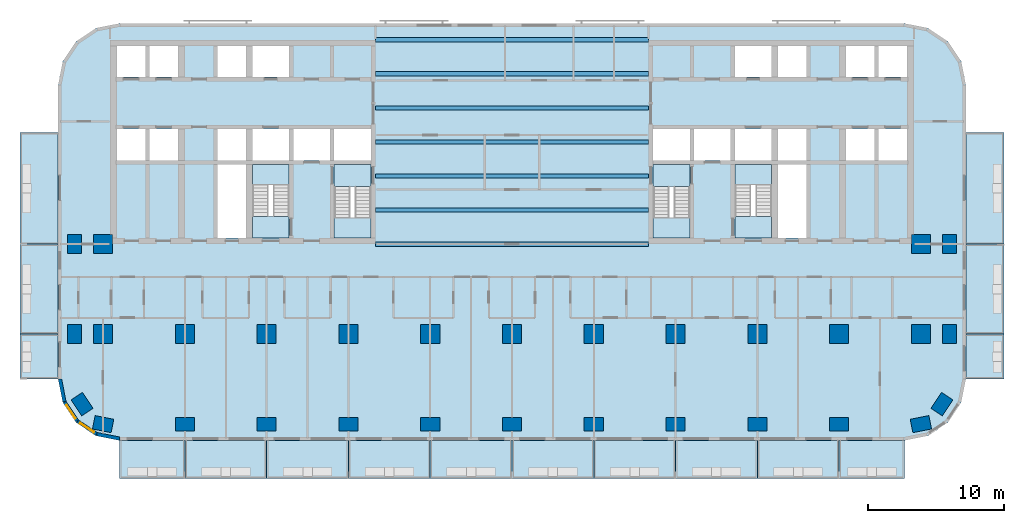
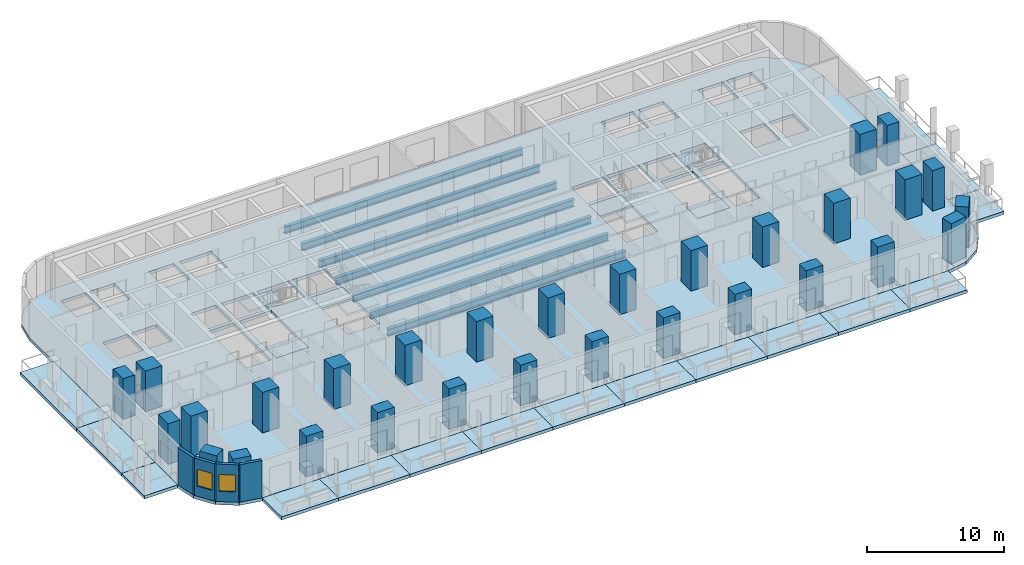
# One storey, part 1 of 15: 30 columns, 25 slabs, 7 beams, 4 walls, 2 windows, 2 openings, 4 elements without a shape of their own.
"""IFC4 building model written with IfcOpenShell, lengths in metres."""

from ifc_helpers import new_model, si_unit, direction, frame, frame_2d, origin, origin_2d, place, context, subcontext, project, spatial, polyline, rectangle, i_section, outline, extrude, material, layer, layer_set, material_profile, profile_set, type_object, element, fill, aggregate, save


model = new_model("IFC4")

# Units and contexts
model_context = context("Model", 3, precision=1e-05, world=origin(), true_north=direction((0.0, 1.0)))
body_context = subcontext(model_context, "Body", "Model", "MODEL_VIEW")
ifc_project = project(units=[si_unit("LENGTHUNIT", "METRE"), si_unit("AREAUNIT", "SQUARE_METRE"), si_unit("VOLUMEUNIT", "CUBIC_METRE"), si_unit("PLANEANGLEUNIT", "RADIAN"), si_unit("MASSUNIT", "GRAM", prefix="KILO")], contexts=[model_context])

# Site, building, storey
site_placement = place(None, origin())
site = spatial("IfcSite", under=ifc_project, at=site_placement, CompositionType="ELEMENT")
building_placement = place(site_placement, origin())
building = spatial("IfcBuilding", under=site, at=building_placement, Name="Torana Hotel and Residences", CompositionType="ELEMENT")
storey_placement = place(building_placement, frame((0.0, 0.0, 52.800048828125)))
storey = spatial("IfcBuildingStorey", under=building, at=storey_placement, Name="L12", CompositionType="ELEMENT", Elevation=52.800048828125)

# Columns
ifc_material_1 = material(Name="Concrete C70/85", Category="concrete")
ifc_material_profile_1 = material_profile(ifc_material_1, rectangle(XDim=1.39990234375, YDim=1.0, at=origin_2d()), Name="RC 1400x1000")
ifc_profile_set_1 = profile_set([ifc_material_profile_1], Name="Concrete C70/85")
column_type_1 = type_object("IfcColumnType", Name="COLUMN RC 1400x1000 C70/85", PredefinedType="COLUMN", material=ifc_profile_set_1)
for number, where, z_axis, x_axis, name in (
    (1, (-32.10009765625, -21.60009765625, 0.0), (0.0, 0.0, 1.0), (0.0, 1.0, 0.0), "Column L12"),
    (2, (-32.10009765625, -15.0, 0.0), (0.0, 0.0, 1.0), (0.0, 1.0, 0.0), "Column L12"),
    (3, (-31.5439453125, -26.73291015625, 0.0), (0.0, 0.0, 1.0), (-0.555584744817, 0.831459915646, 0.0), "Column L12"),
    (4, (-30.0, -28.199951171875, 0.0), (0.0, 0.0, 1.0), (-0.980792089743, 0.195056086032, 0.0), "Column L12"),
    (5, (-24.0, -28.199951171875, 0.0), (0.0, 0.0, 1.0), (1.0, 0.0, 0.0), "Column L12"),
    (6, (-18.0, -28.199951171875, 0.0), (0.0, 0.0, 1.0), (1.0, 0.0, 0.0), "Column L12"),
    (7, (-12.0, -28.199951171875, 0.0), (0.0, 0.0, 1.0), (1.0, 0.0, 0.0), "Column L12"),
    (8, (-6.0, -28.199951171875, 0.0), (0.0, 0.0, 1.0), (1.0, 0.0, 0.0), "Column L12"),
    (9, (0.0, -28.199951171875, 0.0), (0.0, 0.0, 1.0), (1.0, 0.0, 0.0), "Column L12"),
    (10, (6.0, -28.199951171875, 0.0), (0.0, 0.0, 1.0), (1.0, 0.0, 0.0), "Column L12"),
    (11, (12.0, -28.199951171875, 0.0), (0.0, 0.0, 1.0), (1.0, 0.0, 0.0), "Column L12"),
    (12, (18.0, -28.199951171875, 0.0), (0.0, 0.0, 1.0), (1.0, 0.0, 0.0), "Column L12"),
    (13, (24.0, -28.199951171875, 0.0), (0.0, 0.0, 1.0), (1.0, 0.0, 0.0), "Column L12"),
    (14, (30.0, -28.199951171875, 0.0), (0.0, 0.0, 1.0), (0.980792089743, 0.195056086032, 0.0), "Column L12"),
    (15, (31.5439453125, -26.73291015625, 0.0), (0.0, 0.0, 1.0), (0.555584744817, 0.831459915646, 0.0), "Column L12"),
    (16, (32.10009765625, -21.60009765625, 0.0), (0.0, 0.0, 1.0), (0.0, 1.0, 0.0), "Column L12"),
    (17, (32.10009765625, -15.0, 0.0), (0.0, 0.0, 1.0), (0.0, 1.0, 0.0), "Column L12"),
):
    element("IfcColumn", number, at=place(storey_placement, frame(where, z_axis=z_axis, x_axis=x_axis)), inside=storey, type_object=column_type_1, Name=name, PredefinedType="COLUMN", context=body_context, shape_type="SweptSolid", body=[
        extrude(rectangle(XDim=1.39990234375, YDim=1.0, at=origin_2d()), origin(), (0.0, 0.0, 1.0), 3.599853515625),
    ])
ifc_material_2 = material(Name="Concrete C70/85", Category="concrete")
ifc_material_profile_2 = material_profile(ifc_material_2, rectangle(XDim=1.39990234375, YDim=1.39990234375, at=origin_2d()), Name="RC 1400x1400")
ifc_profile_set_2 = profile_set([ifc_material_profile_2], Name="Concrete C70/85")
column_type_2 = type_object("IfcColumnType", Name="COLUMN RC 1400x1400 C70/85", PredefinedType="COLUMN", material=ifc_profile_set_2)
for number, where, z_axis, x_axis, name in (
    (18, (-30.0, -21.60009765625, 0.0), (0.0, 0.0, 1.0), (1.0, 0.0, 0.0), "Column L12"),
    (19, (-30.0, -15.0, 0.0), (0.0, 0.0, 1.0), (1.0, 0.0, 0.0), "Column L12"),
    (20, (-24.0, -21.60009765625, 0.0), (0.0, 0.0, 1.0), (1.0, 0.0, 0.0), "Column L12"),
    (21, (-18.0, -21.60009765625, 0.0), (0.0, 0.0, 1.0), (1.0, 0.0, 0.0), "Column L12"),
    (22, (-12.0, -21.60009765625, 0.0), (0.0, 0.0, 1.0), (1.0, 0.0, 0.0), "Column L12"),
    (23, (-6.0, -21.60009765625, 0.0), (0.0, 0.0, 1.0), (1.0, 0.0, 0.0), "Column L12"),
    (24, (0.0, -21.60009765625, 0.0), (0.0, 0.0, 1.0), (1.0, 0.0, 0.0), "Column L12"),
    (25, (6.0, -21.60009765625, 0.0), (0.0, 0.0, 1.0), (1.0, 0.0, 0.0), "Column L12"),
    (26, (12.0, -21.60009765625, 0.0), (0.0, 0.0, 1.0), (1.0, 0.0, 0.0), "Column L12"),
    (27, (18.0, -21.60009765625, 0.0), (0.0, 0.0, 1.0), (1.0, 0.0, 0.0), "Column L12"),
    (28, (24.0, -21.60009765625, 0.0), (0.0, 0.0, 1.0), (1.0, 0.0, 0.0), "Column L12"),
    (29, (30.0, -21.60009765625, 0.0), (0.0, 0.0, 1.0), (1.0, 0.0, 0.0), "Column L12"),
    (30, (30.0, -15.0, 0.0), (0.0, 0.0, 1.0), (1.0, 0.0, 0.0), "Column L12"),
):
    element("IfcColumn", number, at=place(storey_placement, frame(where, z_axis=z_axis, x_axis=x_axis)), inside=storey, type_object=column_type_2, Name=name, PredefinedType="COLUMN", context=body_context, shape_type="SweptSolid", body=[
        extrude(rectangle(XDim=1.39990234375, YDim=1.39990234375, at=origin_2d()), origin(), (0.0, 0.0, 1.0), 3.599853515625),
    ])

# Beams
ifc_material_3 = material(Name="Steel S355", Category="steel")
ifc_material_profile_3 = material_profile(ifc_material_3, i_section(OverallWidth=0.311279296875, OverallDepth=0.6357421875, WebThickness=0.018310546875, FlangeThickness=0.031494140625, FilletRadius=0.0166015625, at=origin_2d()), Name="610x305x238 UB")
ifc_profile_set_3 = profile_set([ifc_material_profile_3], Name="Steel S355")
beam_type = type_object("IfcBeamType", Name="STEEL GIRDER 610x305x238 UB", PredefinedType="BEAM", material=ifc_profile_set_3)
for number, where, z_axis, x_axis, name in (
    (31, (-10.0, -15.0, -0.597900390625), (1.0, 0.0, 0.0), (0.0, 1.0, 0.0), "Floor girder"),
    (32, (-10.0, -12.5, -0.597900390625), (1.0, 0.0, 0.0), (0.0, 1.0, 0.0), "Floor girder"),
    (33, (-10.0, -10.0, -0.597900390625), (1.0, 0.0, 0.0), (0.0, 1.0, 0.0), "Floor girder"),
    (34, (-10.0, -7.5, -0.597900390625), (1.0, 0.0, 0.0), (0.0, 1.0, 0.0), "Floor girder"),
    (35, (-10.0, -5.0, -0.597900390625), (1.0, 0.0, 0.0), (0.0, 1.0, 0.0), "Floor girder"),
    (36, (-10.0, -2.5, -0.597900390625), (1.0, 0.0, 0.0), (0.0, 1.0, 0.0), "Floor girder"),
    (37, (-10.0, 0.0, -0.597900390625), (1.0, 0.0, 0.0), (0.0, 1.0, 0.0), "Floor girder"),
):
    element("IfcBeam", number, at=place(storey_placement, frame(where, z_axis=z_axis, x_axis=x_axis)), inside=storey, type_object=beam_type, Name=name, PredefinedType="BEAM", context=body_context, shape_type="SweptSolid", body=[
        extrude(i_section(OverallWidth=0.311279296875, OverallDepth=0.6357421875, WebThickness=0.018310546875, FlangeThickness=0.031494140625, FilletRadius=0.0166015625, at=origin_2d()), origin(), (0.0, 0.0, 1.0), 20.0),
    ])

# Slabs
ifc_material_4 = material(Name="Concrete C40/50", Category="concrete")
ifc_layer_1 = layer(ifc_material_4, 0.280029296875)
ifc_layer_set_1 = layer_set([ifc_layer_1], Name="BAL1 BALCONY SLAB 280")
slab_type_1 = type_object("IfcSlabType", Name="BAL1 BALCONY SLAB 280", PredefinedType="USERDEFINED", material=ifc_layer_set_1)
slab_1_placement = place(storey_placement, frame((0.0, 0.0, -0.280029296875)))
element("IfcSlab", 38, at=slab_1_placement, inside=storey, type_object=slab_type_1, Name="Balcony 01", ObjectType="BALCONY", PredefinedType="USERDEFINED", context=body_context, shape_type="SweptSolid", body=[
    extrude(outline(polyline([(-28.800048828125, -32.199951171875), (-24.0, -32.199951171875), (-24.0, -29.39990234375), (-28.800048828125, -29.39990234375), (-28.800048828125, -32.199951171875)])), origin(), (0.0, 0.0, 1.0), 0.280029296875),
])
slab_2_placement = place(storey_placement, frame((0.0, 0.0, -0.280029296875)))
element("IfcSlab", 39, at=slab_2_placement, inside=storey, type_object=slab_type_1, Name="Balcony 02", ObjectType="BALCONY", PredefinedType="USERDEFINED", context=body_context, shape_type="SweptSolid", body=[
    extrude(outline(polyline([(-24.0, -32.199951171875), (-18.0, -32.199951171875), (-18.0, -29.39990234375), (-24.0, -29.39990234375), (-24.0, -32.199951171875)])), origin(), (0.0, 0.0, 1.0), 0.280029296875),
])
slab_3_placement = place(storey_placement, frame((0.0, 0.0, -0.280029296875)))
element("IfcSlab", 40, at=slab_3_placement, inside=storey, type_object=slab_type_1, Name="Balcony 03", ObjectType="BALCONY", PredefinedType="USERDEFINED", context=body_context, shape_type="SweptSolid", body=[
    extrude(outline(polyline([(-18.0, -32.199951171875), (-12.0, -32.199951171875), (-12.0, -29.39990234375), (-18.0, -29.39990234375), (-18.0, -32.199951171875)])), origin(), (0.0, 0.0, 1.0), 0.280029296875),
])
slab_4_placement = place(storey_placement, frame((0.0, 0.0, -0.280029296875)))
element("IfcSlab", 41, at=slab_4_placement, inside=storey, type_object=slab_type_1, Name="Balcony 04", ObjectType="BALCONY", PredefinedType="USERDEFINED", context=body_context, shape_type="SweptSolid", body=[
    extrude(outline(polyline([(-12.0, -32.199951171875), (-6.0, -32.199951171875), (-6.0, -29.39990234375), (-12.0, -29.39990234375), (-12.0, -32.199951171875)])), origin(), (0.0, 0.0, 1.0), 0.280029296875),
])
slab_5_placement = place(storey_placement, frame((0.0, 0.0, -0.280029296875)))
element("IfcSlab", 42, at=slab_5_placement, inside=storey, type_object=slab_type_1, Name="Balcony 05", ObjectType="BALCONY", PredefinedType="USERDEFINED", context=body_context, shape_type="SweptSolid", body=[
    extrude(outline(polyline([(-6.0, -32.199951171875), (0.0, -32.199951171875), (0.0, -29.39990234375), (-6.0, -29.39990234375), (-6.0, -32.199951171875)])), origin(), (0.0, 0.0, 1.0), 0.280029296875),
])
slab_6_placement = place(storey_placement, frame((0.0, 0.0, -0.280029296875)))
element("IfcSlab", 43, at=slab_6_placement, inside=storey, type_object=slab_type_1, Name="Balcony 06", ObjectType="BALCONY", PredefinedType="USERDEFINED", context=body_context, shape_type="SweptSolid", body=[
    extrude(outline(polyline([(0.0, -32.199951171875), (6.0, -32.199951171875), (6.0, -29.39990234375), (0.0, -29.39990234375), (0.0, -32.199951171875)])), origin(), (0.0, 0.0, 1.0), 0.280029296875),
])
slab_7_placement = place(storey_placement, frame((0.0, 0.0, -0.280029296875)))
element("IfcSlab", 44, at=slab_7_placement, inside=storey, type_object=slab_type_1, Name="Balcony 07", ObjectType="BALCONY", PredefinedType="USERDEFINED", context=body_context, shape_type="SweptSolid", body=[
    extrude(outline(polyline([(6.0, -32.199951171875), (12.0, -32.199951171875), (12.0, -29.39990234375), (6.0, -29.39990234375), (6.0, -32.199951171875)])), origin(), (0.0, 0.0, 1.0), 0.280029296875),
])
slab_8_placement = place(storey_placement, frame((0.0, 0.0, -0.280029296875)))
element("IfcSlab", 45, at=slab_8_placement, inside=storey, type_object=slab_type_1, Name="Balcony 08", ObjectType="BALCONY", PredefinedType="USERDEFINED", context=body_context, shape_type="SweptSolid", body=[
    extrude(outline(polyline([(12.0, -32.199951171875), (18.0, -32.199951171875), (18.0, -29.39990234375), (12.0, -29.39990234375), (12.0, -32.199951171875)])), origin(), (0.0, 0.0, 1.0), 0.280029296875),
])
slab_9_placement = place(storey_placement, frame((0.0, 0.0, -0.280029296875)))
element("IfcSlab", 46, at=slab_9_placement, inside=storey, type_object=slab_type_1, Name="Balcony 09", ObjectType="BALCONY", PredefinedType="USERDEFINED", context=body_context, shape_type="SweptSolid", body=[
    extrude(outline(polyline([(18.0, -32.199951171875), (24.0, -32.199951171875), (24.0, -29.39990234375), (18.0, -29.39990234375), (18.0, -32.199951171875)])), origin(), (0.0, 0.0, 1.0), 0.280029296875),
])
slab_10_placement = place(storey_placement, frame((0.0, 0.0, -0.280029296875)))
element("IfcSlab", 47, at=slab_10_placement, inside=storey, type_object=slab_type_1, Name="Balcony 10", ObjectType="BALCONY", PredefinedType="USERDEFINED", context=body_context, shape_type="SweptSolid", body=[
    extrude(outline(polyline([(24.0, -32.199951171875), (28.800048828125, -32.199951171875), (28.800048828125, -29.39990234375), (24.0, -29.39990234375), (24.0, -32.199951171875)])), origin(), (0.0, 0.0, 1.0), 0.280029296875),
])
slab_11_placement = place(storey_placement, frame((0.0, 0.0, -0.280029296875)))
element("IfcSlab", 48, at=slab_11_placement, inside=storey, type_object=slab_type_1, Name="Balcony 11", ObjectType="BALCONY", PredefinedType="USERDEFINED", context=body_context, shape_type="SweptSolid", body=[
    extrude(outline(polyline([(-36.10009765625, -24.89990234375), (-33.300048828125, -24.89990234375), (-33.300048828125, -21.60009765625), (-36.10009765625, -21.60009765625), (-36.10009765625, -24.89990234375)])), origin(), (0.0, 0.0, 1.0), 0.280029296875),
])
slab_12_placement = place(storey_placement, frame((0.0, 0.0, -0.280029296875)))
element("IfcSlab", 49, at=slab_12_placement, inside=storey, type_object=slab_type_1, Name="Balcony 12", ObjectType="BALCONY", PredefinedType="USERDEFINED", context=body_context, shape_type="SweptSolid", body=[
    extrude(outline(polyline([(-36.10009765625, -21.60009765625), (-33.300048828125, -21.60009765625), (-33.300048828125, -15.0), (-36.10009765625, -15.0), (-36.10009765625, -21.60009765625)])), origin(), (0.0, 0.0, 1.0), 0.280029296875),
])
slab_13_placement = place(storey_placement, frame((0.0, 0.0, -0.280029296875)))
element("IfcSlab", 50, at=slab_13_placement, inside=storey, type_object=slab_type_1, Name="Balcony 13", ObjectType="BALCONY", PredefinedType="USERDEFINED", context=body_context, shape_type="SweptSolid", body=[
    extrude(outline(polyline([(-36.10009765625, -15.0), (-33.300048828125, -15.0), (-33.300048828125, -6.800048828125), (-36.10009765625, -6.800048828125), (-36.10009765625, -15.0)])), origin(), (0.0, 0.0, 1.0), 0.280029296875),
])
slab_14_placement = place(storey_placement, frame((0.0, 0.0, -0.280029296875)))
element("IfcSlab", 51, at=slab_14_placement, inside=storey, type_object=slab_type_1, Name="Balcony 14", ObjectType="BALCONY", PredefinedType="USERDEFINED", context=body_context, shape_type="SweptSolid", body=[
    extrude(outline(polyline([(33.300048828125, -24.89990234375), (36.10009765625, -24.89990234375), (36.10009765625, -21.60009765625), (33.300048828125, -21.60009765625), (33.300048828125, -24.89990234375)])), origin(), (0.0, 0.0, 1.0), 0.280029296875),
])
slab_15_placement = place(storey_placement, frame((0.0, 0.0, -0.280029296875)))
element("IfcSlab", 52, at=slab_15_placement, inside=storey, type_object=slab_type_1, Name="Balcony 15", ObjectType="BALCONY", PredefinedType="USERDEFINED", context=body_context, shape_type="SweptSolid", body=[
    extrude(outline(polyline([(33.300048828125, -21.60009765625), (36.10009765625, -21.60009765625), (36.10009765625, -15.0), (33.300048828125, -15.0), (33.300048828125, -21.60009765625)])), origin(), (0.0, 0.0, 1.0), 0.280029296875),
])
slab_16_placement = place(storey_placement, frame((0.0, 0.0, -0.280029296875)))
element("IfcSlab", 53, at=slab_16_placement, inside=storey, type_object=slab_type_1, Name="Balcony 16", ObjectType="BALCONY", PredefinedType="USERDEFINED", context=body_context, shape_type="SweptSolid", body=[
    extrude(outline(polyline([(33.300048828125, -15.0), (36.10009765625, -15.0), (36.10009765625, -6.800048828125), (33.300048828125, -6.800048828125), (33.300048828125, -15.0)])), origin(), (0.0, 0.0, 1.0), 0.280029296875),
])
ifc_material_5 = material(Name="Concrete C40/50", Category="concrete")
ifc_layer_2 = layer(ifc_material_5, 0.280029296875)
ifc_layer_set_2 = layer_set([ifc_layer_2], Name="FLOOR SLAB PT 280")
slab_type_2 = type_object("IfcSlabType", Name="FLOOR SLAB PT 280", PredefinedType="FLOOR", material=ifc_layer_set_2)
slab_17_placement = place(storey_placement, frame((0.0, 0.0, -0.280029296875)))
element("IfcSlab", 54, at=slab_17_placement, inside=storey, type_object=slab_type_2, Name="Floor slab", PredefinedType="FLOOR", context=body_context, shape_type="SweptSolid", body=[
    extrude(outline(polyline([(33.300048828125, -3.300048828125), (32.95751953125, -1.577880859375), (31.98193359375, -0.117919921875), (30.522216796875, 0.857421875), (28.800048828125, 1.199951171875), (-28.800048828125, 1.199951171875), (-30.522216796875, 0.857421875), (-31.98193359375, -0.117919921875), (-32.95751953125, -1.577880859375), (-33.300048828125, -3.300048828125), (-33.300048828125, -24.89990234375), (-32.95751953125, -26.6220703125), (-31.98193359375, -28.08203125), (-30.522216796875, -29.0576171875), (-28.800048828125, -29.39990234375), (28.800048828125, -29.39990234375), (30.522216796875, -29.0576171875), (31.98193359375, -28.08203125), (32.95751953125, -26.6220703125), (33.300048828125, -24.89990234375), (33.300048828125, -3.300048828125)]), holes=[polyline([(-13.050048828125, -14.550048828125), (-10.35009765625, -14.550048828125), (-10.35009765625, -9.14990234375), (-13.050048828125, -9.14990234375), (-13.050048828125, -14.550048828125)]), polyline([(-19.050048828125, -14.550048828125), (-16.35009765625, -14.550048828125), (-16.35009765625, -9.14990234375), (-19.050048828125, -9.14990234375), (-19.050048828125, -14.550048828125)]), polyline([(-19.050048828125, -2.75), (-16.35009765625, -2.75), (-16.35009765625, -0.449951171875), (-19.050048828125, -0.449951171875), (-19.050048828125, -2.75)]), polyline([(-26.60009765625, -2.75), (-24.5, -2.75), (-24.5, -0.449951171875), (-26.60009765625, -0.449951171875), (-26.60009765625, -2.75)]), polyline([(-29.0, -2.75), (-26.89990234375, -2.75), (-26.89990234375, -0.449951171875), (-29.0, -0.449951171875), (-29.0, -2.75)]), polyline([(-26.60009765625, -8.85009765625), (-24.5, -8.85009765625), (-24.5, -6.550048828125), (-26.60009765625, -6.550048828125), (-26.60009765625, -8.85009765625)]), polyline([(-29.0, -8.85009765625), (-26.89990234375, -8.85009765625), (-26.89990234375, -6.550048828125), (-29.0, -6.550048828125), (-29.0, -8.85009765625)]), polyline([(-21.60009765625, -2.75), (-19.5, -2.75), (-19.5, -0.449951171875), (-21.60009765625, -0.449951171875), (-21.60009765625, -2.75)]), polyline([(-21.60009765625, -8.85009765625), (-19.5, -8.85009765625), (-19.5, -6.550048828125), (-21.60009765625, -6.550048828125), (-21.60009765625, -8.85009765625)]), polyline([(-13.050048828125, -8.85009765625), (-10.35009765625, -8.85009765625), (-10.35009765625, -6.550048828125), (-13.050048828125, -6.550048828125), (-13.050048828125, -8.85009765625)]), polyline([(-16.050048828125, -8.85009765625), (-13.35009765625, -8.85009765625), (-13.35009765625, -6.550048828125), (-16.050048828125, -6.550048828125), (-16.050048828125, -8.85009765625)]), polyline([(-19.050048828125, -8.85009765625), (-16.35009765625, -8.85009765625), (-16.35009765625, -6.550048828125), (-19.050048828125, -6.550048828125), (-19.050048828125, -8.85009765625)]), polyline([(-21.60009765625, -14.550048828125), (-19.5, -14.550048828125), (-19.5, -9.14990234375), (-21.60009765625, -9.14990234375), (-21.60009765625, -14.550048828125)]), polyline([(10.35009765625, -14.550048828125), (13.050048828125, -14.550048828125), (13.050048828125, -9.14990234375), (10.35009765625, -9.14990234375), (10.35009765625, -14.550048828125)]), polyline([(16.35009765625, -14.550048828125), (19.050048828125, -14.550048828125), (19.050048828125, -9.14990234375), (16.35009765625, -9.14990234375), (16.35009765625, -14.550048828125)]), polyline([(16.35009765625, -2.75), (19.050048828125, -2.75), (19.050048828125, -0.449951171875), (16.35009765625, -0.449951171875), (16.35009765625, -2.75)]), polyline([(24.5, -2.75), (26.60009765625, -2.75), (26.60009765625, -0.449951171875), (24.5, -0.449951171875), (24.5, -2.75)]), polyline([(26.89990234375, -2.75), (29.0, -2.75), (29.0, -0.449951171875), (26.89990234375, -0.449951171875), (26.89990234375, -2.75)]), polyline([(24.5, -8.85009765625), (26.60009765625, -8.85009765625), (26.60009765625, -6.550048828125), (24.5, -6.550048828125), (24.5, -8.85009765625)]), polyline([(26.89990234375, -8.85009765625), (29.0, -8.85009765625), (29.0, -6.550048828125), (26.89990234375, -6.550048828125), (26.89990234375, -8.85009765625)]), polyline([(19.5, -2.75), (21.60009765625, -2.75), (21.60009765625, -0.449951171875), (19.5, -0.449951171875), (19.5, -2.75)]), polyline([(19.5, -8.85009765625), (21.60009765625, -8.85009765625), (21.60009765625, -6.550048828125), (19.5, -6.550048828125), (19.5, -8.85009765625)]), polyline([(10.35009765625, -8.85009765625), (13.050048828125, -8.85009765625), (13.050048828125, -6.550048828125), (10.35009765625, -6.550048828125), (10.35009765625, -8.85009765625)]), polyline([(13.35009765625, -8.85009765625), (16.050048828125, -8.85009765625), (16.050048828125, -6.550048828125), (13.35009765625, -6.550048828125), (13.35009765625, -8.85009765625)]), polyline([(16.35009765625, -8.85009765625), (19.050048828125, -8.85009765625), (19.050048828125, -6.550048828125), (16.35009765625, -6.550048828125), (16.35009765625, -8.85009765625)]), polyline([(19.5, -14.550048828125), (21.60009765625, -14.550048828125), (21.60009765625, -9.14990234375), (19.5, -9.14990234375), (19.5, -14.550048828125)])]), origin(), (0.0, 0.0, 1.0), 0.280029296875),
])

# Stair, slabs
ifc_material_6 = material(Name="Concrete C40/50 precast", Category="concrete")
stair_type_1 = type_object("IfcStairType", Name="STAIR ST1 HALF TURN 1200", PredefinedType="HALF_TURN_STAIR", material=ifc_material_6)
stair_1_placement = place(storey_placement, origin())
stair_1 = element("IfcStair", 55, at=stair_1_placement, inside=storey, type_object=stair_type_1, Name="Stair ST1 L12", PredefinedType="HALF_TURN_STAIR")
ifc_material_7 = material(Name="Concrete C40/50 precast", Category="concrete")
ifc_layer_3 = layer(ifc_material_7, 0.199951171875)
ifc_layer_set_3 = layer_set([ifc_layer_3], Name="STAIR LANDING 200")
slab_type_3 = type_object("IfcSlabType", Name="STAIR LANDING 200", PredefinedType="LANDING", material=ifc_layer_set_3)
slab_18_placement = place(storey_placement, frame((0.0, 0.0, 1.599853515625)))
slab_18 = element("IfcSlab", 56, at=slab_18_placement, type_object=slab_type_3, Name="ST1 landing 1", PredefinedType="LANDING", context=body_context, shape_type="SweptSolid", body=[
    extrude(outline(polyline([(-13.050048828125, -14.550048828125), (-10.35009765625, -14.550048828125), (-10.35009765625, -13.090087890625), (-13.050048828125, -13.090087890625), (-13.050048828125, -14.550048828125)])), origin(), (0.0, 0.0, 1.0), 0.2001953125),
])
slab_19_placement = place(storey_placement, frame((0.0, 0.0, -0.199951171875)))
slab_19 = element("IfcSlab", 57, at=slab_19_placement, type_object=slab_type_3, Name="ST1 landing 2", PredefinedType="LANDING", context=body_context, shape_type="SweptSolid", body=[
    extrude(outline(polyline([(-13.050048828125, -10.75), (-10.35009765625, -10.75), (-10.35009765625, -9.14990234375), (-13.050048828125, -9.14990234375), (-13.050048828125, -10.75)])), origin(), (0.0, 0.0, 1.0), 0.199951171875),
])
aggregate(stair_1, [slab_18, slab_19])

ifc_material_8 = material(Name="Concrete C40/50 precast", Category="concrete")
stair_type_2 = type_object("IfcStairType", Name="STAIR ST2 HALF TURN 1200", PredefinedType="HALF_TURN_STAIR", material=ifc_material_8)
stair_2_placement = place(storey_placement, origin())
stair_2 = element("IfcStair", 58, at=stair_2_placement, inside=storey, type_object=stair_type_2, Name="Stair ST2 L12", PredefinedType="HALF_TURN_STAIR")
slab_20_placement = place(storey_placement, frame((0.0, 0.0, 1.599853515625)))
slab_20 = element("IfcSlab", 59, at=slab_20_placement, type_object=slab_type_3, Name="ST2 landing 1", PredefinedType="LANDING", context=body_context, shape_type="SweptSolid", body=[
    extrude(outline(polyline([(-19.050048828125, -10.610107421875), (-16.35009765625, -10.610107421875), (-16.35009765625, -9.14990234375), (-19.050048828125, -9.14990234375), (-19.050048828125, -10.610107421875)])), origin(), (0.0, 0.0, 1.0), 0.2001953125),
])
slab_21_placement = place(storey_placement, frame((0.0, 0.0, -0.199951171875)))
slab_21 = element("IfcSlab", 60, at=slab_21_placement, type_object=slab_type_3, Name="ST2 landing 2", PredefinedType="LANDING", context=body_context, shape_type="SweptSolid", body=[
    extrude(outline(polyline([(-19.050048828125, -14.550048828125), (-16.35009765625, -14.550048828125), (-16.35009765625, -12.949951171875), (-19.050048828125, -12.949951171875), (-19.050048828125, -14.550048828125)])), origin(), (0.0, 0.0, 1.0), 0.199951171875),
])
aggregate(stair_2, [slab_20, slab_21])

ifc_material_9 = material(Name="Concrete C40/50 precast", Category="concrete")
stair_type_3 = type_object("IfcStairType", Name="STAIR ST3 HALF TURN 1200", PredefinedType="HALF_TURN_STAIR", material=ifc_material_9)
stair_3_placement = place(storey_placement, origin())
stair_3 = element("IfcStair", 61, at=stair_3_placement, inside=storey, type_object=stair_type_3, Name="Stair ST3 L12", PredefinedType="HALF_TURN_STAIR")
slab_22_placement = place(storey_placement, frame((0.0, 0.0, 1.599853515625)))
slab_22 = element("IfcSlab", 62, at=slab_22_placement, type_object=slab_type_3, Name="ST3 landing 1", PredefinedType="LANDING", context=body_context, shape_type="SweptSolid", body=[
    extrude(outline(polyline([(10.35009765625, -14.550048828125), (13.050048828125, -14.550048828125), (13.050048828125, -13.090087890625), (10.35009765625, -13.090087890625), (10.35009765625, -14.550048828125)])), origin(), (0.0, 0.0, 1.0), 0.2001953125),
])
slab_23_placement = place(storey_placement, frame((0.0, 0.0, -0.199951171875)))
slab_23 = element("IfcSlab", 63, at=slab_23_placement, type_object=slab_type_3, Name="ST3 landing 2", PredefinedType="LANDING", context=body_context, shape_type="SweptSolid", body=[
    extrude(outline(polyline([(10.35009765625, -10.75), (13.050048828125, -10.75), (13.050048828125, -9.14990234375), (10.35009765625, -9.14990234375), (10.35009765625, -10.75)])), origin(), (0.0, 0.0, 1.0), 0.199951171875),
])
aggregate(stair_3, [slab_22, slab_23])

ifc_material_10 = material(Name="Concrete C40/50 precast", Category="concrete")
stair_type_4 = type_object("IfcStairType", Name="STAIR ST4 HALF TURN 1200", PredefinedType="HALF_TURN_STAIR", material=ifc_material_10)
stair_4_placement = place(storey_placement, origin())
stair_4 = element("IfcStair", 64, at=stair_4_placement, inside=storey, type_object=stair_type_4, Name="Stair ST4 L12", PredefinedType="HALF_TURN_STAIR")
slab_24_placement = place(storey_placement, frame((0.0, 0.0, 1.599853515625)))
slab_24 = element("IfcSlab", 65, at=slab_24_placement, type_object=slab_type_3, Name="ST4 landing 1", PredefinedType="LANDING", context=body_context, shape_type="SweptSolid", body=[
    extrude(outline(polyline([(16.35009765625, -10.610107421875), (19.050048828125, -10.610107421875), (19.050048828125, -9.14990234375), (16.35009765625, -9.14990234375), (16.35009765625, -10.610107421875)])), origin(), (0.0, 0.0, 1.0), 0.2001953125),
])
slab_25_placement = place(storey_placement, frame((0.0, 0.0, -0.199951171875)))
slab_25 = element("IfcSlab", 66, at=slab_25_placement, type_object=slab_type_3, Name="ST4 landing 2", PredefinedType="LANDING", context=body_context, shape_type="SweptSolid", body=[
    extrude(outline(polyline([(16.35009765625, -14.550048828125), (19.050048828125, -14.550048828125), (19.050048828125, -12.949951171875), (16.35009765625, -12.949951171875), (16.35009765625, -14.550048828125)])), origin(), (0.0, 0.0, 1.0), 0.199951171875),
])
aggregate(stair_4, [slab_24, slab_25])

# Wall
ifc_material_11 = material(Name="Black aluminium composite panel", Category="aluminium")
ifc_layer_4 = layer(ifc_material_11, 0.00390625, Name="Cladding", Category="cladding")
ifc_material_12 = material(Name="Ventilated air cavity")
ifc_layer_5 = layer(ifc_material_12, 0.0400390625, Name="Ventilated cavity", Category="cavity")
ifc_material_13 = material(Name="Mineral wool insulation")
ifc_layer_6 = layer(ifc_material_13, 0.090087890625, Name="Insulation", Category="insulation")
ifc_material_14 = material(Name="Steel S280GD", Category="steel")
ifc_layer_7 = layer(ifc_material_14, 0.092041015625, Name="Steel stud frame", Category="structure")
ifc_material_15 = material(Name="Fire rated plasterboard")
ifc_layer_8 = layer(ifc_material_15, 0.011962890625, Name="Inner board", Category="finish")
ifc_layer_9 = layer(ifc_material_15, 0.011962890625, Name="Second board", Category="finish")
ifc_layer_set_4 = layer_set([ifc_layer_4, ifc_layer_5, ifc_layer_6, ifc_layer_7, ifc_layer_8, ifc_layer_9], Name="EW1 EXTERNAL WALL BLACK METAL CLAD 250")
wall_type = type_object("IfcWallType", Name="EW1 EXTERNAL WALL BLACK METAL CLAD 250", PredefinedType="SOLIDWALL", material=ifc_layer_set_4)
wall_1_placement = place(storey_placement, frame((-33.172607421875, -24.89990234375, 0.0), z_axis=(0.0, 0.0, 1.0), x_axis=(0.195166572128, -0.980770110232, 0.0)))
element("IfcWall", 67, at=wall_1_placement, inside=storey, type_object=wall_type, Name="External wall L12 e0.10", PredefinedType="SOLIDWALL", context=body_context, shape_type="SweptSolid", body=[
    extrude(rectangle(XDim=1.68115234375, YDim=0.25, at=frame_2d((0.840576171875, 0.0))), origin(), (0.0, 0.0, 1.0), 3.320068359375),
])

# Wall, opening, window
wall_2_placement = place(storey_placement, frame((-32.825927734375, -26.593994140625, 0.0), z_axis=(0.0, 0.0, 1.0), x_axis=(0.55555029066, -0.831482937015, 0.0)))
wall_2 = element("IfcWall", 68, at=wall_2_placement, inside=storey, type_object=wall_type, Name="External wall L12 e0.11", PredefinedType="SOLIDWALL", context=body_context, shape_type="SweptSolid", body=[
    extrude(rectangle(XDim=1.65625, YDim=0.25, at=frame_2d((0.828125, 0.0))), origin(), (0.0, 0.0, 1.0), 3.320068359375),
])
opening_1_placement = place(wall_2_placement, frame((0.228271484375, 0.0, 0.89990234375)))
opening_1 = element("IfcOpeningElement", 69, at=opening_1_placement, cuts=wall_2, Name="Opening W5", PredefinedType="OPENING", context=body_context, shape_type="SweptSolid", body=[
    extrude(rectangle(XDim=1.199951171875, YDim=1.5, at=frame_2d((0.60009765625, 0.75))), frame((0.0, 0.135009765625, 0.0), z_axis=(0.0, -1.0, 0.0), x_axis=(1.0, 0.0, 0.0)), (0.0, 0.0, 1.0), 0.27001953125),
])
ifc_material_16 = material(Name="Dark glass in black aluminium frame", Category="aluminium")
window_type = type_object("IfcWindowType", Name="W5 CORNER FACET WINDOW 1200x1500", PartitioningType="SINGLE_PANEL", PredefinedType="WINDOW", material=ifc_material_16)
window_1_placement = place(opening_1_placement, origin())
window_1 = element("IfcWindow", 70, at=window_1_placement, inside=storey, type_object=window_type, Name="Window L12 e0.11", OverallHeight=1.5, OverallWidth=1.199951171875, PartitioningType="SINGLE_PANEL", PredefinedType="WINDOW", context=body_context, shape_type="SweptSolid", body=[
    extrude(rectangle(XDim=1.199951171875, YDim=1.5, at=frame_2d((0.60009765625, 0.75))), frame((0.0, 0.030029296875, 0.0), z_axis=(0.0, -1.0, 0.0), x_axis=(1.0, 0.0, 0.0)), (0.0, 0.0, 1.0), 0.06005859375),
])
fill(opening_1, window_1)

wall_3_placement = place(storey_placement, frame((-31.87109375, -28.005615234375, 0.0), z_axis=(0.0, 0.0, 1.0), x_axis=(0.831482937015, -0.55555029066, 0.0)))
wall_3 = element("IfcWall", 71, at=wall_3_placement, inside=storey, type_object=wall_type, Name="External wall L12 e0.12", PredefinedType="SOLIDWALL", context=body_context, shape_type="SweptSolid", body=[
    extrude(rectangle(XDim=1.65625, YDim=0.25, at=frame_2d((0.828125, 0.0))), origin(), (0.0, 0.0, 1.0), 3.320068359375),
])
opening_2_placement = place(wall_3_placement, frame((0.228271484375, 0.0, 0.89990234375)))
opening_2 = element("IfcOpeningElement", 72, at=opening_2_placement, cuts=wall_3, Name="Opening W5", PredefinedType="OPENING", context=body_context, shape_type="SweptSolid", body=[
    extrude(rectangle(XDim=1.199951171875, YDim=1.5, at=frame_2d((0.60009765625, 0.75))), frame((0.0, 0.135009765625, 0.0), z_axis=(0.0, -1.0, 0.0), x_axis=(1.0, 0.0, 0.0)), (0.0, 0.0, 1.0), 0.27001953125),
])
window_2_placement = place(opening_2_placement, origin())
window_2 = element("IfcWindow", 73, at=window_2_placement, inside=storey, type_object=window_type, Name="Window L12 e0.12", OverallHeight=1.5, OverallWidth=1.199951171875, PartitioningType="SINGLE_PANEL", PredefinedType="WINDOW", context=body_context, shape_type="SweptSolid", body=[
    extrude(rectangle(XDim=1.199951171875, YDim=1.5, at=frame_2d((0.60009765625, 0.75))), frame((0.0, 0.030029296875, 0.0), z_axis=(0.0, -1.0, 0.0), x_axis=(1.0, 0.0, 0.0)), (0.0, 0.0, 1.0), 0.06005859375),
])
fill(opening_2, window_2)

# Wall
wall_4_placement = place(storey_placement, frame((-30.448974609375, -28.944580078125, 0.0), z_axis=(0.0, 0.0, 1.0), x_axis=(0.980775640221, -0.19513878023, 0.0)))
element("IfcWall", 74, at=wall_4_placement, inside=storey, type_object=wall_type, Name="External wall L12 e0.13", PredefinedType="SOLIDWALL", context=body_context, shape_type="SweptSolid", body=[
    extrude(rectangle(XDim=1.681396484375, YDim=0.25, at=frame_2d((0.8408203125, 0.0))), origin(), (0.0, 0.0, 1.0), 3.320068359375),
])

save(model, "model.ifc")
